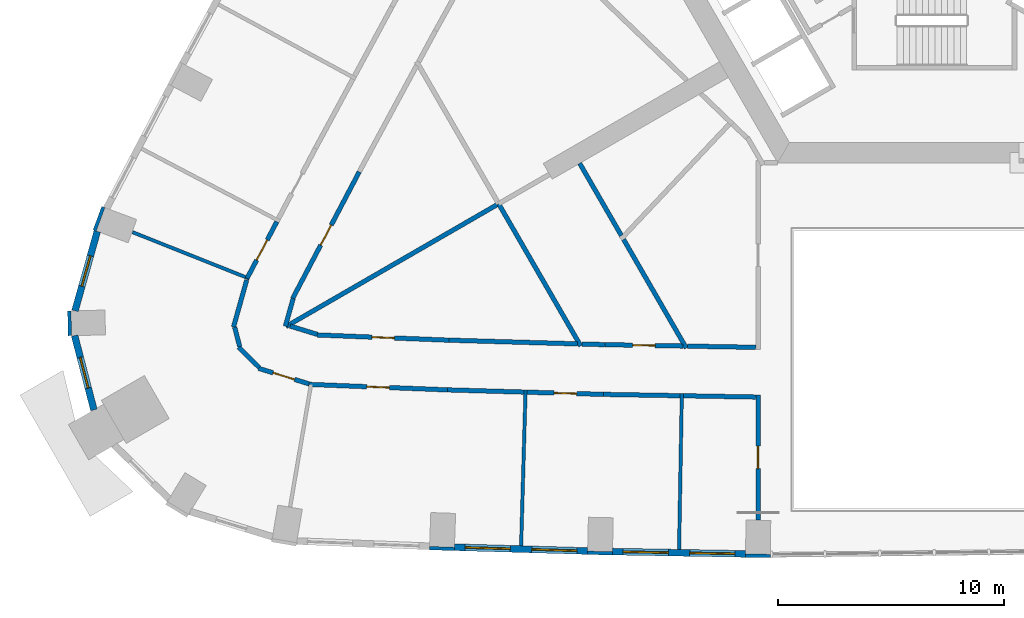
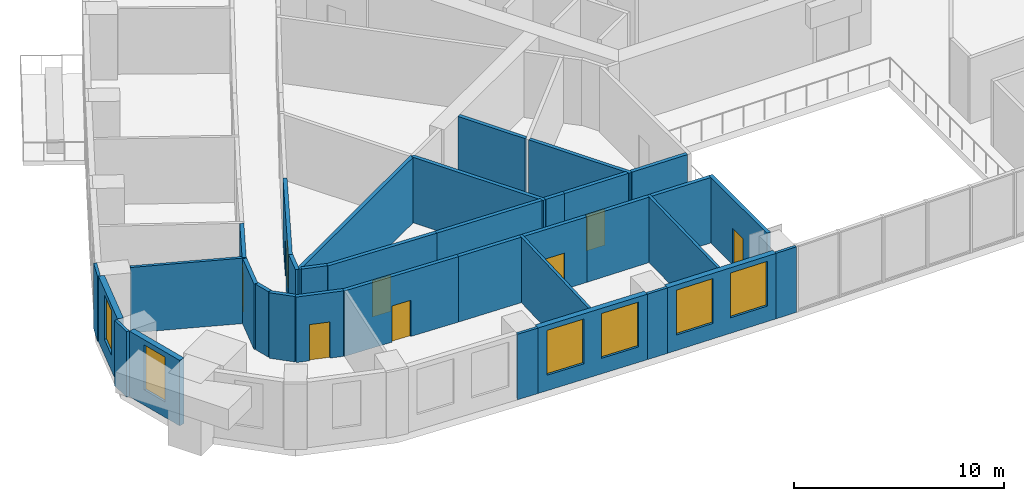
# One storey, part 4 of 15: 35 walls, 8 doors, 6 windows, 14 openings.
"""IFC4 building model written with IfcOpenShell, lengths in metres."""

from ifc_helpers import new_model, si_unit, direction, frame, frame_2d, origin, place, context, subcontext, project, spatial, rectangle, extrude, material, layer, layer_set, type_object, element, fill, save


model = new_model("IFC4")

# Units and contexts
model_context = context("Model", 3, precision=1e-05, world=origin(), true_north=direction((0.0, 1.0)))
body_context = subcontext(model_context, "Body", "Model", "MODEL_VIEW")
ifc_project = project(units=[si_unit("LENGTHUNIT", "METRE"), si_unit("AREAUNIT", "SQUARE_METRE"), si_unit("VOLUMEUNIT", "CUBIC_METRE"), si_unit("PLANEANGLEUNIT", "RADIAN"), si_unit("MASSUNIT", "GRAM", prefix="KILO")], contexts=[model_context])

# Site, building, storey
site_placement = place(None, origin())
site = spatial("IfcSite", under=ifc_project, at=site_placement, CompositionType="ELEMENT")
building_placement = place(site_placement, origin())
building = spatial("IfcBuilding", under=site, at=building_placement, Name="Entoto Arch Interchange Tower", CompositionType="ELEMENT")
storey_placement = place(building_placement, frame((0.0, 0.0, 107.60009765625)))
storey = spatial("IfcBuildingStorey", under=building, at=storey_placement, Name="L23", CompositionType="ELEMENT", Elevation=107.60009765625)

# Walls
ifc_material_1 = material(Name="Gypsum board partition on steel studs", Category="steel")
ifc_layer_1 = layer(ifc_material_1, 0.14990234375)
ifc_layer_set_1 = layer_set([ifc_layer_1], Name="Gypsum board partition on steel studs")
wall_type_1 = type_object("IfcWallType", Name="PARTITION 150", PredefinedType="PARTITIONING", material=ifc_layer_set_1)
wall_1_placement = place(storey_placement, frame((-30.305908203125, -14.625, 0.0), z_axis=(0.0, 0.0, 1.0), x_axis=(-0.929128339298, 0.369757392235, 0.0)))
element("IfcWall", 1, at=wall_1_placement, inside=storey, type_object=wall_type_1, Name="wall:L23:p152", PredefinedType="PARTITIONING", context=body_context, shape_type="SweptSolid", body=[
    extrude(rectangle(XDim=5.56884765625, YDim=0.14990234375, at=frame_2d((2.784423828125, 0.0))), origin(), (0.0, 0.0, 1.0), 3.7998046875),
])
wall_2_placement = place(storey_placement, frame((-18.0849609375, -19.544921875, 0.0), z_axis=(0.0, 0.0, 1.0), x_axis=(-0.02869106823, -0.999588326564, 0.0)))
element("IfcWall", 2, at=wall_2_placement, inside=storey, type_object=wall_type_1, Name="wall:L23:p154", PredefinedType="PARTITIONING", context=body_context, shape_type="SweptSolid", body=[
    extrude(rectangle(XDim=6.901123046875, YDim=0.14990234375, at=frame_2d((3.45068359375, 0.0))), origin(), (0.0, 0.0, 1.0), 3.7998046875),
])
wall_3_placement = place(storey_placement, frame((-11.1708984375, -19.7060546875, 0.0), z_axis=(0.0, 0.0, 1.0), x_axis=(-0.017691335128, -0.999843496084, 0.0)))
element("IfcWall", 3, at=wall_3_placement, inside=storey, type_object=wall_type_1, Name="wall:L23:p155", PredefinedType="PARTITIONING", context=body_context, shape_type="SweptSolid", body=[
    extrude(rectangle(XDim=6.89990234375, YDim=0.14990234375, at=frame_2d((3.449951171875, 0.0))), origin(), (0.0, 0.0, 1.0), 3.7998046875),
])
ifc_layer_2 = layer(ifc_material_1, 0.199951171875)
ifc_layer_set_2 = layer_set([ifc_layer_2], Name="Gypsum board partition on steel studs")
wall_type_2 = type_object("IfcWallType", Name="PARTITION 200", PredefinedType="PARTITIONING", material=ifc_layer_set_2)
wall_4_placement = place(storey_placement, frame((-10.923095703125, -17.610107421875, 0.0), z_axis=(0.0, 0.0, 1.0), x_axis=(0.999846489632, -0.017521334753, 0.0)))
element("IfcWall", 4, at=wall_4_placement, inside=storey, type_object=wall_type_2, Name="wall:L23:p032", PredefinedType="PARTITIONING", context=body_context, shape_type="SweptSolid", body=[
    extrude(rectangle(XDim=3.023681640625, YDim=0.199951171875, at=frame_2d((1.51171875, 0.0))), origin(), (0.0, 0.0, 1.0), 3.7998046875),
])
wall_5_placement = place(storey_placement, frame((-15.595947265625, -17.51611328125, 0.0), z_axis=(0.0, 0.0, 1.0), x_axis=(0.99959813819, -0.028347171427, 0.0)))
element("IfcWall", 5, at=wall_5_placement, inside=storey, type_object=wall_type_2, Name="wall:L23:p035", PredefinedType="PARTITIONING", context=body_context, shape_type="SweptSolid", body=[
    extrude(rectangle(XDim=1.016357421875, YDim=0.199951171875, at=frame_2d((0.50830078125, 0.0))), origin(), (0.0, 0.0, 1.0), 3.7998046875),
])

# Wall, opening, door
wall_6_placement = place(storey_placement, frame((-14.580078125, -17.544921875, 0.0), z_axis=(0.0, 0.0, 1.0), x_axis=(0.999844180431, -0.01765261618, 0.0)))
wall_6 = element("IfcWall", 6, at=wall_6_placement, inside=storey, type_object=wall_type_2, Name="wall:L23:p036", PredefinedType="PARTITIONING", context=body_context, shape_type="SweptSolid", body=[
    extrude(rectangle(XDim=3.45751953125, YDim=0.199951171875, at=frame_2d((1.728759765625, 0.0))), origin(), (0.0, 0.0, 1.0), 3.7998046875),
])
opening_1_placement = place(wall_6_placement, frame((1.22900390625, 0.0, 0.0)))
opening_1 = element("IfcOpeningElement", 7, at=opening_1_placement, cuts=wall_6, Name="Opening L23-D29", PredefinedType="OPENING", context=body_context, shape_type="SweptSolid", body=[
    extrude(rectangle(XDim=1.0, YDim=2.10009765625, at=frame_2d((0.5, 1.050048828125))), frame((0.0, 0.10986328125, 0.0), z_axis=(0.0, -1.0, 0.0), x_axis=(1.0, 0.0, 0.0)), (0.0, 0.0, 1.0), 0.219970703125),
])
ifc_material_2 = material(Name="Timber door leaf in Steel S235 frame", Category="steel")
door_type = type_object("IfcDoorType", Name="DOOR DS-10 1000x2100", OperationType="SINGLE_SWING_LEFT", PredefinedType="DOOR", material=ifc_material_2)
door_1_placement = place(opening_1_placement, origin())
door_1 = element("IfcDoor", 8, at=door_1_placement, inside=storey, type_object=door_type, Name="door:L23:29", OperationType="SINGLE_SWING_LEFT", OverallHeight=2.10009765625, OverallWidth=1.0, PredefinedType="DOOR", context=body_context, shape_type="SweptSolid", body=[
    extrude(rectangle(XDim=1.0, YDim=2.10009765625, at=frame_2d((0.5, 1.050048828125))), frame((0.0, 0.02490234375, 0.0), z_axis=(0.0, -1.0, 0.0), x_axis=(1.0, 0.0, 0.0)), (0.0, 0.0, 1.0), 0.050048828125),
])
fill(opening_1, door_1)

wall_7_placement = place(storey_placement, frame((-25.446044921875, -9.89599609375, 0.0), z_axis=(0.0, 0.0, 1.0), x_axis=(-0.465367816287, -0.885117390838, 0.0)))
wall_7 = element("IfcWall", 9, at=wall_7_placement, inside=storey, type_object=wall_type_2, Name="wall:L23:p038", PredefinedType="PARTITIONING", context=body_context, shape_type="SweptSolid", body=[
    extrude(rectangle(XDim=6.325927734375, YDim=0.199951171875, at=frame_2d((3.1630859375, 0.0))), origin(), (0.0, 0.0, 1.0), 3.7998046875),
])
opening_2_placement = place(wall_7_placement, frame((2.6630859375, 0.0, 0.0)))
opening_2 = element("IfcOpeningElement", 10, at=opening_2_placement, cuts=wall_7, Name="Opening L23-D30", PredefinedType="OPENING", context=body_context, shape_type="SweptSolid", body=[
    extrude(rectangle(XDim=1.0, YDim=2.10009765625, at=frame_2d((0.5, 1.050048828125))), frame((0.0, 0.10986328125, 0.0), z_axis=(0.0, -1.0, 0.0), x_axis=(1.0, 0.0, 0.0)), (0.0, 0.0, 1.0), 0.219970703125),
])
door_2_placement = place(opening_2_placement, origin())
door_2 = element("IfcDoor", 11, at=door_2_placement, inside=storey, type_object=door_type, Name="door:L23:30", OperationType="SINGLE_SWING_LEFT", OverallHeight=2.10009765625, OverallWidth=1.0, PredefinedType="DOOR", context=body_context, shape_type="SweptSolid", body=[
    extrude(rectangle(XDim=1.0, YDim=2.10009765625, at=frame_2d((0.5, 1.050048828125))), frame((0.0, 0.02490234375, 0.0), z_axis=(0.0, -1.0, 0.0), x_axis=(1.0, 0.0, 0.0)), (0.0, 0.0, 1.0), 0.050048828125),
])
fill(opening_2, door_2)

# Walls
wall_8_placement = place(storey_placement, frame((-28.3701171875, -15.5029296875, 0.0), z_axis=(0.0, 0.0, 1.0), x_axis=(-0.270645732093, -0.962679015924, 0.0)))
element("IfcWall", 12, at=wall_8_placement, inside=storey, type_object=wall_type_2, Name="wall:L23:p039", PredefinedType="PARTITIONING", context=body_context, shape_type="SweptSolid", body=[
    extrude(rectangle(XDim=1.274658203125, YDim=0.199951171875, at=frame_2d((0.63720703125, 0.0))), origin(), (0.0, 0.0, 1.0), 3.7998046875),
])
wall_9_placement = place(storey_placement, frame((-28.5029296875, -16.721923828125, 0.0), z_axis=(0.0, 0.0, 1.0), x_axis=(0.95579582576, -0.294031187904, 0.0)))
element("IfcWall", 13, at=wall_9_placement, inside=storey, type_object=wall_type_2, Name="wall:L23:p040", PredefinedType="PARTITIONING", context=body_context, shape_type="SweptSolid", body=[
    extrude(rectangle(XDim=1.25537109375, YDim=0.199951171875, at=frame_2d((0.627685546875, 0.0))), origin(), (0.0, 0.0, 1.0), 3.7998046875),
])

# Wall, opening, door
wall_10_placement = place(storey_placement, frame((-27.306884765625, -17.115966796875, 0.0), z_axis=(0.0, 0.0, 1.0), x_axis=(0.999217829656, -0.039544012168, 0.0)))
wall_10 = element("IfcWall", 14, at=wall_10_placement, inside=storey, type_object=wall_type_2, Name="wall:L23:p041", PredefinedType="PARTITIONING", context=body_context, shape_type="SweptSolid", body=[
    extrude(rectangle(XDim=5.840576171875, YDim=0.199951171875, at=frame_2d((2.92041015625, 0.0))), origin(), (0.0, 0.0, 1.0), 3.7998046875),
])
opening_3_placement = place(wall_10_placement, frame((2.419921875, 0.0, 0.0)))
opening_3 = element("IfcOpeningElement", 15, at=opening_3_placement, cuts=wall_10, Name="Opening L23-D31", PredefinedType="OPENING", context=body_context, shape_type="SweptSolid", body=[
    extrude(rectangle(XDim=1.0, YDim=2.10009765625, at=frame_2d((0.5, 1.050048828125))), frame((0.0, 0.10986328125, 0.0), z_axis=(0.0, -1.0, 0.0), x_axis=(1.0, 0.0, 0.0)), (0.0, 0.0, 1.0), 0.219970703125),
])
door_3_placement = place(opening_3_placement, origin())
door_3 = element("IfcDoor", 16, at=door_3_placement, inside=storey, type_object=door_type, Name="door:L23:31", OperationType="SINGLE_SWING_LEFT", OverallHeight=2.10009765625, OverallWidth=1.0, PredefinedType="DOOR", context=body_context, shape_type="SweptSolid", body=[
    extrude(rectangle(XDim=1.0, YDim=2.10009765625, at=frame_2d((0.5, 1.050048828125))), frame((0.0, 0.02490234375, 0.0), z_axis=(0.0, -1.0, 0.0), x_axis=(1.0, 0.0, 0.0)), (0.0, 0.0, 1.0), 0.050048828125),
])
fill(opening_3, door_3)

# Wall
wall_11_placement = place(storey_placement, frame((-21.470947265625, -17.346923828125, 0.0), z_axis=(0.0, 0.0, 1.0), x_axis=(0.999587337564, -0.028725504044, 0.0)))
element("IfcWall", 17, at=wall_11_placement, inside=storey, type_object=wall_type_2, Name="wall:L23:p042", PredefinedType="PARTITIONING", context=body_context, shape_type="SweptSolid", body=[
    extrude(rectangle(XDim=5.677490234375, YDim=0.199951171875, at=frame_2d((2.8388671875, 0.0))), origin(), (0.0, 0.0, 1.0), 3.7998046875),
])

# Wall, opening, door
wall_12_placement = place(storey_placement, frame((-30.409912109375, -14.610107421875, 0.0), z_axis=(0.0, 0.0, 1.0), x_axis=(0.46516343569, 0.885224817827, 0.0)))
wall_12 = element("IfcWall", 18, at=wall_12_placement, inside=storey, type_object=wall_type_2, Name="wall:L23:p074", PredefinedType="PARTITIONING", context=body_context, shape_type="SweptSolid", body=[
    extrude(rectangle(XDim=2.8310546875, YDim=0.199951171875, at=frame_2d((1.41552734375, 0.0))), origin(), (0.0, 0.0, 1.0), 3.7998046875),
])
opening_4_placement = place(wall_12_placement, frame((0.916015625, 0.0, 0.0)))
opening_4 = element("IfcOpeningElement", 19, at=opening_4_placement, cuts=wall_12, Name="Opening L23-D16", PredefinedType="OPENING", context=body_context, shape_type="SweptSolid", body=[
    extrude(rectangle(XDim=1.0, YDim=2.10009765625, at=frame_2d((0.5, 1.050048828125))), frame((0.0, 0.10986328125, 0.0), z_axis=(0.0, -1.0, 0.0), x_axis=(1.0, 0.0, 0.0)), (0.0, 0.0, 1.0), 0.219970703125),
])
door_4_placement = place(opening_4_placement, origin())
door_4 = element("IfcDoor", 20, at=door_4_placement, inside=storey, type_object=door_type, Name="door:L23:16", OperationType="SINGLE_SWING_LEFT", OverallHeight=2.10009765625, OverallWidth=1.0, PredefinedType="DOOR", context=body_context, shape_type="SweptSolid", body=[
    extrude(rectangle(XDim=1.0, YDim=2.10009765625, at=frame_2d((0.5, 1.050048828125))), frame((0.0, 0.02490234375, 0.0), z_axis=(0.0, -1.0, 0.0), x_axis=(1.0, 0.0, 0.0)), (0.0, 0.0, 1.0), 0.050048828125),
])
fill(opening_4, door_4)

wall_13_placement = place(storey_placement, frame((-27.676025390625, -19.278076171875, 0.0), z_axis=(0.0, 0.0, 1.0), x_axis=(-0.95581080774, 0.293982482143, 0.0)))
wall_13 = element("IfcWall", 21, at=wall_13_placement, inside=storey, type_object=wall_type_2, Name="wall:L23:p075", PredefinedType="PARTITIONING", context=body_context, shape_type="SweptSolid", body=[
    extrude(rectangle(XDim=2.32373046875, YDim=0.199951171875, at=frame_2d((1.161865234375, 0.0))), origin(), (0.0, 0.0, 1.0), 3.7998046875),
])
opening_5_placement = place(wall_13_placement, frame((0.662109375, 0.0, 0.0)))
opening_5 = element("IfcOpeningElement", 22, at=opening_5_placement, cuts=wall_13, Name="Opening L23-D17", PredefinedType="OPENING", context=body_context, shape_type="SweptSolid", body=[
    extrude(rectangle(XDim=1.0, YDim=2.10009765625, at=frame_2d((0.5, 1.050048828125))), frame((0.0, 0.10986328125, 0.0), z_axis=(0.0, -1.0, 0.0), x_axis=(1.0, 0.0, 0.0)), (0.0, 0.0, 1.0), 0.219970703125),
])
door_5_placement = place(opening_5_placement, origin())
door_5 = element("IfcDoor", 23, at=door_5_placement, inside=storey, type_object=door_type, Name="door:L23:17", OperationType="SINGLE_SWING_LEFT", OverallHeight=2.10009765625, OverallWidth=1.0, PredefinedType="DOOR", context=body_context, shape_type="SweptSolid", body=[
    extrude(rectangle(XDim=1.0, YDim=2.10009765625, at=frame_2d((0.5, 1.050048828125))), frame((0.0, 0.02490234375, 0.0), z_axis=(0.0, -1.0, 0.0), x_axis=(1.0, 0.0, 0.0)), (0.0, 0.0, 1.0), 0.050048828125),
])
fill(opening_5, door_5)

# Walls
wall_14_placement = place(storey_placement, frame((-29.873046875, -18.553955078125, 0.0), z_axis=(0.0, 0.0, 1.0), x_axis=(-0.712546188185, 0.701625206006, 0.0)))
element("IfcWall", 24, at=wall_14_placement, inside=storey, type_object=wall_type_2, Name="wall:L23:p076", PredefinedType="PARTITIONING", context=body_context, shape_type="SweptSolid", body=[
    extrude(rectangle(XDim=1.274169921875, YDim=0.199951171875, at=frame_2d((0.63720703125, 0.0))), origin(), (0.0, 0.0, 1.0), 3.7998046875),
])
wall_15_placement = place(storey_placement, frame((-30.735107421875, -17.634033203125, 0.0), z_axis=(0.0, 0.0, 1.0), x_axis=(-0.251095196118, 0.967962397248, 0.0)))
element("IfcWall", 25, at=wall_15_placement, inside=storey, type_object=wall_type_2, Name="wall:L23:p077", PredefinedType="PARTITIONING", context=body_context, shape_type="SweptSolid", body=[
    extrude(rectangle(XDim=0.8916015625, YDim=0.199951171875, at=frame_2d((0.44580078125, 0.0))), origin(), (0.0, 0.0, 1.0), 3.7998046875),
])
wall_16_placement = place(storey_placement, frame((-31.010986328125, -16.77001953125, 0.0), z_axis=(0.0, 0.0, 1.0), x_axis=(0.270131711391, 0.962823378664, 0.0)))
element("IfcWall", 26, at=wall_16_placement, inside=storey, type_object=wall_type_2, Name="wall:L23:p078", PredefinedType="PARTITIONING", context=body_context, shape_type="SweptSolid", body=[
    extrude(rectangle(XDim=2.16552734375, YDim=0.199951171875, at=frame_2d((1.082763671875, 0.0))), origin(), (0.0, 0.0, 1.0), 3.7998046875),
])
wall_17_placement = place(storey_placement, frame((-18.1630859375, -19.64306640625, 0.0), z_axis=(0.0, 0.0, 1.0), x_axis=(-0.999588017684, 0.028701827504, 0.0)))
element("IfcWall", 27, at=wall_17_placement, inside=storey, type_object=wall_type_2, Name="wall:L23:p079", PredefinedType="PARTITIONING", context=body_context, shape_type="SweptSolid", body=[
    extrude(rectangle(XDim=3.385498046875, YDim=0.199951171875, at=frame_2d((1.69287109375, 0.0))), origin(), (0.0, 0.0, 1.0), 3.7998046875),
])

# Wall, opening, door
wall_18_placement = place(storey_placement, frame((-21.547119140625, -19.5458984375, 0.0), z_axis=(0.0, 0.0, 1.0), x_axis=(-0.999216450883, 0.039578836331, 0.0)))
wall_18 = element("IfcWall", 28, at=wall_18_placement, inside=storey, type_object=wall_type_2, Name="wall:L23:p080", PredefinedType="PARTITIONING", context=body_context, shape_type="SweptSolid", body=[
    extrude(rectangle(XDim=6.1376953125, YDim=0.199951171875, at=frame_2d((3.06884765625, 0.0))), origin(), (0.0, 0.0, 1.0), 3.7998046875),
])
opening_6_placement = place(wall_18_placement, frame((2.569091796875, 0.0, 0.0)))
opening_6 = element("IfcOpeningElement", 29, at=opening_6_placement, cuts=wall_18, Name="Opening L23-D18", PredefinedType="OPENING", context=body_context, shape_type="SweptSolid", body=[
    extrude(rectangle(XDim=1.0, YDim=2.10009765625, at=frame_2d((0.5, 1.050048828125))), frame((0.0, 0.10986328125, 0.0), z_axis=(0.0, -1.0, 0.0), x_axis=(1.0, 0.0, 0.0)), (0.0, 0.0, 1.0), 0.219970703125),
])
door_6_placement = place(opening_6_placement, origin())
door_6 = element("IfcDoor", 30, at=door_6_placement, inside=storey, type_object=door_type, Name="door:L23:18", OperationType="SINGLE_SWING_LEFT", OverallHeight=2.10009765625, OverallWidth=1.0, PredefinedType="DOOR", context=body_context, shape_type="SweptSolid", body=[
    extrude(rectangle(XDim=1.0, YDim=2.10009765625, at=frame_2d((0.5, 1.050048828125))), frame((0.0, 0.02490234375, 0.0), z_axis=(0.0, -1.0, 0.0), x_axis=(1.0, 0.0, 0.0)), (0.0, 0.0, 1.0), 0.050048828125),
])
fill(opening_6, door_6)

# Wall
wall_19_placement = place(storey_placement, frame((-11.248046875, -19.803955078125, 0.0), z_axis=(0.0, 0.0, 1.0), x_axis=(-0.999848794654, 0.017389302123, 0.0)))
element("IfcWall", 31, at=wall_19_placement, inside=storey, type_object=wall_type_2, Name="wall:L23:p081", PredefinedType="PARTITIONING", context=body_context, shape_type="SweptSolid", body=[
    extrude(rectangle(XDim=3.383544921875, YDim=0.199951171875, at=frame_2d((1.69189453125, 0.0))), origin(), (0.0, 0.0, 1.0), 3.7998046875),
])

# Wall, opening, door
wall_20_placement = place(storey_placement, frame((-14.631103515625, -19.7451171875, 0.0), z_axis=(0.0, 0.0, 1.0), x_axis=(-0.999587482491, 0.028720460441, 0.0)))
wall_20 = element("IfcWall", 32, at=wall_20_placement, inside=storey, type_object=wall_type_2, Name="wall:L23:p082", PredefinedType="PARTITIONING", context=body_context, shape_type="SweptSolid", body=[
    extrude(rectangle(XDim=3.38330078125, YDim=0.199951171875, at=frame_2d((1.691650390625, 0.0))), origin(), (0.0, 0.0, 1.0), 3.7998046875),
])
opening_7_placement = place(wall_20_placement, frame((1.19189453125, 0.0, 0.0)))
opening_7 = element("IfcOpeningElement", 33, at=opening_7_placement, cuts=wall_20, Name="Opening L23-D19", PredefinedType="OPENING", context=body_context, shape_type="SweptSolid", body=[
    extrude(rectangle(XDim=1.0, YDim=2.10009765625, at=frame_2d((0.5, 1.050048828125))), frame((0.0, 0.10986328125, 0.0), z_axis=(0.0, -1.0, 0.0), x_axis=(1.0, 0.0, 0.0)), (0.0, 0.0, 1.0), 0.219970703125),
])
door_7_placement = place(opening_7_placement, origin())
door_7 = element("IfcDoor", 34, at=door_7_placement, inside=storey, type_object=door_type, Name="door:L23:19", OperationType="SINGLE_SWING_RIGHT", OverallHeight=2.10009765625, OverallWidth=1.0, PredefinedType="DOOR", context=body_context, shape_type="SweptSolid", body=[
    extrude(rectangle(XDim=1.0, YDim=2.10009765625, at=frame_2d((0.5, 1.050048828125))), frame((0.0, 0.02490234375, 0.0), z_axis=(0.0, -1.0, 0.0), x_axis=(1.0, 0.0, 0.0)), (0.0, 0.0, 1.0), 0.050048828125),
])
fill(opening_7, door_7)

# Wall
wall_21_placement = place(storey_placement, frame((-7.89990234375, -19.863037109375, 0.0), z_axis=(0.0, 0.0, 1.0), x_axis=(-0.999845883554, 0.017555886191, 0.0)))
element("IfcWall", 35, at=wall_21_placement, inside=storey, type_object=wall_type_2, Name="wall:L23:p083", PredefinedType="PARTITIONING", context=body_context, shape_type="SweptSolid", body=[
    extrude(rectangle(XDim=3.198486328125, YDim=0.199951171875, at=frame_2d((1.59912109375, 0.0))), origin(), (0.0, 0.0, 1.0), 3.7998046875),
])

# Wall, opening, door
wall_22_placement = place(storey_placement, frame((-7.800048828125, -25.2958984375, 0.0), z_axis=(0.0, 0.0, 1.0), x_axis=(0.0, 1.0, 0.0)))
wall_22 = element("IfcWall", 36, at=wall_22_placement, inside=storey, type_object=wall_type_2, Name="wall:L23:p119", PredefinedType="PARTITIONING", context=body_context, shape_type="SweptSolid", body=[
    extrude(rectangle(XDim=5.531005859375, YDim=0.199951171875, at=frame_2d((2.765625, 0.0))), origin(), (0.0, 0.0, 1.0), 3.7998046875),
])
opening_8_placement = place(wall_22_placement, frame((2.264892578125, 0.0, 0.0)))
opening_8 = element("IfcOpeningElement", 37, at=opening_8_placement, cuts=wall_22, Name="Opening L23-D20", PredefinedType="OPENING", context=body_context, shape_type="SweptSolid", body=[
    extrude(rectangle(XDim=1.0, YDim=2.10009765625, at=frame_2d((0.5, 1.050048828125))), frame((0.0, 0.10986328125, 0.0), z_axis=(0.0, -1.0, 0.0), x_axis=(1.0, 0.0, 0.0)), (0.0, 0.0, 1.0), 0.219970703125),
])
door_8_placement = place(opening_8_placement, origin())
door_8 = element("IfcDoor", 38, at=door_8_placement, inside=storey, type_object=door_type, Name="door:L23:20", OperationType="SINGLE_SWING_LEFT", OverallHeight=2.10009765625, OverallWidth=1.0, PredefinedType="DOOR", context=body_context, shape_type="SweptSolid", body=[
    extrude(rectangle(XDim=1.0, YDim=2.10009765625, at=frame_2d((0.5, 1.050048828125))), frame((0.0, 0.02490234375, 0.0), z_axis=(0.0, -1.0, 0.0), x_axis=(1.0, 0.0, 0.0)), (0.0, 0.0, 1.0), 0.050048828125),
])
fill(opening_8, door_8)

# Walls
wall_23_placement = place(storey_placement, frame((-10.972900390625, -17.695068359375, 0.0), z_axis=(0.0, 0.0, 1.0), x_axis=(-0.499986535608, 0.866033177315, 0.0)))
element("IfcWall", 39, at=wall_23_placement, inside=storey, type_object=wall_type_2, Name="wall:L23:p131", PredefinedType="PARTITIONING", context=body_context, shape_type="SweptSolid", body=[
    extrude(rectangle(XDim=5.548583984375, YDim=0.199951171875, at=frame_2d((2.7744140625, 0.0))), origin(), (0.0, 0.0, 1.0), 3.7998046875),
])
wall_24_placement = place(storey_placement, frame((-13.846923828125, -12.716064453125, 0.0), z_axis=(0.0, 0.0, 1.0), x_axis=(-0.499861859587, 0.866105144501, 0.0)))
element("IfcWall", 40, at=wall_24_placement, inside=storey, type_object=wall_type_2, Name="wall:L23:p132", PredefinedType="PARTITIONING", context=body_context, shape_type="SweptSolid", body=[
    extrude(rectangle(XDim=3.68896484375, YDim=0.199951171875, at=frame_2d((1.844482421875, 0.0))), origin(), (0.0, 0.0, 1.0), 3.7998046875),
])
wall_25_placement = place(storey_placement, frame((-15.64599609375, -17.60009765625, 0.0), z_axis=(0.0, 0.0, 1.0), x_axis=(-0.499953299825, 0.866052364464, 0.0)))
element("IfcWall", 41, at=wall_25_placement, inside=storey, type_object=wall_type_2, Name="wall:L23:p135", PredefinedType="PARTITIONING", context=body_context, shape_type="SweptSolid", body=[
    extrude(rectangle(XDim=7.262939453125, YDim=0.199951171875, at=frame_2d((3.63134765625, 0.0))), origin(), (0.0, 0.0, 1.0), 3.7998046875),
])
wall_26_placement = place(storey_placement, frame((-19.277099609375, -11.31103515625, 0.0), z_axis=(0.0, 0.0, 1.0), x_axis=(-0.866078939042, -0.499907262747, 0.0)))
element("IfcWall", 42, at=wall_26_placement, inside=storey, type_object=wall_type_2, Name="wall:L23:p136", PredefinedType="PARTITIONING", context=body_context, shape_type="SweptSolid", body=[
    extrude(rectangle(XDim=10.86376953125, YDim=0.199951171875, at=frame_2d((5.431884765625, 0.0))), origin(), (0.0, 0.0, 1.0), 3.7998046875),
])

# Wall, openings, windows
ifc_material_3 = material(Name="Welded tuff (ignimbrite) cladding, warm buff", Category="masonry")
ifc_layer_3 = layer(ifc_material_3, 0.300048828125)
ifc_layer_set_3 = layer_set([ifc_layer_3], Name="Welded tuff (ignimbrite) cladding, warm buff")
wall_type_3 = type_object("IfcWallType", Name="STONE INFILL WALL 300", PredefinedType="STANDARD", material=ifc_layer_set_3)
wall_27_placement = place(storey_placement, frame((-21.235107421875, -26.508056640625, 0.0), z_axis=(0.0, 0.0, 1.0), x_axis=(0.999589583914, -0.028647229026, 0.0)))
wall_27 = element("IfcWall", 43, at=wall_27_placement, inside=storey, type_object=wall_type_3, Name="Facade wall S-02 L23", PredefinedType="STANDARD", context=body_context, shape_type="SweptSolid", body=[
    extrude(rectangle(XDim=5.8974609375, YDim=0.300048828125, at=frame_2d((2.94873046875, 0.0))), origin(), (0.0, 0.0, 1.0), 3.7998046875),
])
opening_9_placement = place(wall_27_placement, frame((0.47412109375, 0.0, 0.89990234375)))
opening_9 = element("IfcOpeningElement", 44, at=opening_9_placement, cuts=wall_27, Name="Opening WO-C", PredefinedType="OPENING", context=body_context, shape_type="SweptSolid", body=[
    extrude(rectangle(XDim=2.0, YDim=2.60009765625, at=frame_2d((1.0, 1.300048828125))), frame((0.0, 0.16015625, 0.0), z_axis=(0.0, -1.0, 0.0), x_axis=(1.0, 0.0, 0.0)), (0.0, 0.0, 1.0), 0.320068359375),
])
opening_10_placement = place(wall_27_placement, frame((3.423095703125, 0.0, 0.89990234375)))
opening_10 = element("IfcOpeningElement", 45, at=opening_10_placement, cuts=wall_27, Name="Opening WO-C", PredefinedType="OPENING", context=body_context, shape_type="SweptSolid", body=[
    extrude(rectangle(XDim=2.0, YDim=2.60009765625, at=frame_2d((1.0, 1.300048828125))), frame((0.0, 0.16015625, 0.0), z_axis=(0.0, -1.0, 0.0), x_axis=(1.0, 0.0, 0.0)), (0.0, 0.0, 1.0), 0.320068359375),
])
ifc_material_4 = material(Name="Clear glass, low-e double glazed", Category="glass")
window_type_1 = type_object("IfcWindowType", Name="WINDOW WO-C 2000x2600", PartitioningType="DOUBLE_PANEL_VERTICAL", PredefinedType="WINDOW", material=ifc_material_4)
window_1_placement = place(opening_9_placement, origin())
window_1 = element("IfcWindow", 46, at=window_1_placement, inside=storey, type_object=window_type_1, Name="Window WO-C S-02 L23", OverallHeight=2.60009765625, OverallWidth=2.0, PartitioningType="SINGLE_PANEL", PredefinedType="WINDOW", context=body_context, shape_type="SweptSolid", body=[
    extrude(rectangle(XDim=2.0, YDim=2.60009765625, at=frame_2d((1.0, 1.300048828125))), frame((0.0, 0.030029296875, 0.0), z_axis=(0.0, -1.0, 0.0), x_axis=(1.0, 0.0, 0.0)), (0.0, 0.0, 1.0), 0.06005859375),
])
fill(opening_9, window_1)
window_2_placement = place(opening_10_placement, origin())
window_2 = element("IfcWindow", 47, at=window_2_placement, inside=storey, type_object=window_type_1, Name="Window WO-C S-02 L23", OverallHeight=2.60009765625, OverallWidth=2.0, PartitioningType="SINGLE_PANEL", PredefinedType="WINDOW", context=body_context, shape_type="SweptSolid", body=[
    extrude(rectangle(XDim=2.0, YDim=2.60009765625, at=frame_2d((1.0, 1.300048828125))), frame((0.0, 0.030029296875, 0.0), z_axis=(0.0, -1.0, 0.0), x_axis=(1.0, 0.0, 0.0)), (0.0, 0.0, 1.0), 0.06005859375),
])
fill(opening_10, window_2)

wall_28_placement = place(storey_placement, frame((-14.241943359375, -26.702880859375, 0.0), z_axis=(0.0, 0.0, 1.0), x_axis=(0.999847261365, -0.017477240672, 0.0)))
wall_28 = element("IfcWall", 48, at=wall_28_placement, inside=storey, type_object=wall_type_3, Name="Facade wall S-03 L23", PredefinedType="STANDARD", context=body_context, shape_type="SweptSolid", body=[
    extrude(rectangle(XDim=5.89501953125, YDim=0.300048828125, at=frame_2d((2.947509765625, 0.0))), origin(), (0.0, 0.0, 1.0), 3.7998046875),
])
opening_11_placement = place(wall_28_placement, frame((0.47412109375, 0.0, 0.89990234375)))
opening_11 = element("IfcOpeningElement", 49, at=opening_11_placement, cuts=wall_28, Name="Opening WO-C", PredefinedType="OPENING", context=body_context, shape_type="SweptSolid", body=[
    extrude(rectangle(XDim=2.0, YDim=2.60009765625, at=frame_2d((1.0, 1.300048828125))), frame((0.0, 0.16015625, 0.0), z_axis=(0.0, -1.0, 0.0), x_axis=(1.0, 0.0, 0.0)), (0.0, 0.0, 1.0), 0.320068359375),
])
opening_12_placement = place(wall_28_placement, frame((3.4208984375, 0.0, 0.89990234375)))
opening_12 = element("IfcOpeningElement", 50, at=opening_12_placement, cuts=wall_28, Name="Opening WO-C", PredefinedType="OPENING", context=body_context, shape_type="SweptSolid", body=[
    extrude(rectangle(XDim=2.0, YDim=2.60009765625, at=frame_2d((1.0, 1.300048828125))), frame((0.0, 0.16015625, 0.0), z_axis=(0.0, -1.0, 0.0), x_axis=(1.0, 0.0, 0.0)), (0.0, 0.0, 1.0), 0.320068359375),
])
window_3_placement = place(opening_11_placement, origin())
window_3 = element("IfcWindow", 51, at=window_3_placement, inside=storey, type_object=window_type_1, Name="Window WO-C S-03 L23", OverallHeight=2.60009765625, OverallWidth=2.0, PartitioningType="SINGLE_PANEL", PredefinedType="WINDOW", context=body_context, shape_type="SweptSolid", body=[
    extrude(rectangle(XDim=2.0, YDim=2.60009765625, at=frame_2d((1.0, 1.300048828125))), frame((0.0, 0.030029296875, 0.0), z_axis=(0.0, -1.0, 0.0), x_axis=(1.0, 0.0, 0.0)), (0.0, 0.0, 1.0), 0.06005859375),
])
fill(opening_11, window_3)
window_4_placement = place(opening_12_placement, origin())
window_4 = element("IfcWindow", 52, at=window_4_placement, inside=storey, type_object=window_type_1, Name="Window WO-C S-03 L23", OverallHeight=2.60009765625, OverallWidth=2.0, PartitioningType="SINGLE_PANEL", PredefinedType="WINDOW", context=body_context, shape_type="SweptSolid", body=[
    extrude(rectangle(XDim=2.0, YDim=2.60009765625, at=frame_2d((1.0, 1.300048828125))), frame((0.0, 0.030029296875, 0.0), z_axis=(0.0, -1.0, 0.0), x_axis=(1.0, 0.0, 0.0)), (0.0, 0.0, 1.0), 0.06005859375),
])
fill(opening_12, window_4)

# Wall, opening, window
wall_29_placement = place(storey_placement, frame((-37.0400390625, -12.531005859375, 0.0), z_axis=(0.0, 0.0, 1.0), x_axis=(-0.270054089595, -0.96284515302, 0.0)))
wall_29 = element("IfcWall", 53, at=wall_29_placement, inside=storey, type_object=wall_type_3, Name="Facade wall SW-01 L23", PredefinedType="STANDARD", context=body_context, shape_type="SweptSolid", body=[
    extrude(rectangle(XDim=3.650634765625, YDim=0.300048828125, at=frame_2d((1.8251953125, 0.0))), origin(), (0.0, 0.0, 1.0), 3.7998046875),
])
opening_13_placement = place(wall_29_placement, frame((1.125, 0.0, 0.89990234375)))
opening_13 = element("IfcOpeningElement", 54, at=opening_13_placement, cuts=wall_29, Name="Opening WO-B", PredefinedType="OPENING", context=body_context, shape_type="SweptSolid", body=[
    extrude(rectangle(XDim=1.39990234375, YDim=2.60009765625, at=frame_2d((0.699951171875, 1.300048828125))), frame((0.0, 0.16015625, 0.0), z_axis=(0.0, -1.0, 0.0), x_axis=(1.0, 0.0, 0.0)), (0.0, 0.0, 1.0), 0.320068359375),
])
window_type_2 = type_object("IfcWindowType", Name="WINDOW WO-B 1400x2600", PartitioningType="DOUBLE_PANEL_VERTICAL", PredefinedType="WINDOW", material=ifc_material_4)
window_5_placement = place(opening_13_placement, origin())
window_5 = element("IfcWindow", 55, at=window_5_placement, inside=storey, type_object=window_type_2, Name="Window WO-B SW-01 L23", OverallHeight=2.60009765625, OverallWidth=1.39990234375, PartitioningType="SINGLE_PANEL", PredefinedType="WINDOW", context=body_context, shape_type="SweptSolid", body=[
    extrude(rectangle(XDim=1.39990234375, YDim=2.60009765625, at=frame_2d((0.699951171875, 1.300048828125))), frame((0.0, 0.030029296875, 0.0), z_axis=(0.0, -1.0, 0.0), x_axis=(1.0, 0.0, 0.0)), (0.0, 0.0, 1.0), 0.06005859375),
])
fill(opening_13, window_5)

wall_30_placement = place(storey_placement, frame((-38.0419921875, -17.14404296875, 0.0), z_axis=(0.0, 0.0, 1.0), x_axis=(0.251046938153, -0.967974914367, 0.0)))
wall_30 = element("IfcWall", 56, at=wall_30_placement, inside=storey, type_object=wall_type_3, Name="Facade wall SW-02 L23", PredefinedType="STANDARD", context=body_context, shape_type="SweptSolid", body=[
    extrude(rectangle(XDim=3.39794921875, YDim=0.300048828125, at=frame_2d((1.698974609375, 0.0))), origin(), (0.0, 0.0, 1.0), 3.7998046875),
])
opening_14_placement = place(wall_30_placement, frame((0.9990234375, 0.0, 0.89990234375)))
opening_14 = element("IfcOpeningElement", 57, at=opening_14_placement, cuts=wall_30, Name="Opening WO-B", PredefinedType="OPENING", context=body_context, shape_type="SweptSolid", body=[
    extrude(rectangle(XDim=1.39990234375, YDim=2.60009765625, at=frame_2d((0.699951171875, 1.300048828125))), frame((0.0, 0.16015625, 0.0), z_axis=(0.0, -1.0, 0.0), x_axis=(1.0, 0.0, 0.0)), (0.0, 0.0, 1.0), 0.320068359375),
])
window_6_placement = place(opening_14_placement, origin())
window_6 = element("IfcWindow", 58, at=window_6_placement, inside=storey, type_object=window_type_2, Name="Window WO-B SW-02 L23", OverallHeight=2.60009765625, OverallWidth=1.39990234375, PartitioningType="SINGLE_PANEL", PredefinedType="WINDOW", context=body_context, shape_type="SweptSolid", body=[
    extrude(rectangle(XDim=1.39990234375, YDim=2.60009765625, at=frame_2d((0.699951171875, 1.300048828125))), frame((0.0, 0.030029296875, 0.0), z_axis=(0.0, -1.0, 0.0), x_axis=(1.0, 0.0, 0.0)), (0.0, 0.0, 1.0), 0.06005859375),
])
fill(opening_14, window_6)

# Walls
ifc_layer_4 = layer(ifc_material_3, 0.14990234375)
ifc_layer_set_4 = layer_set([ifc_layer_4], Name="Welded tuff (ignimbrite) cladding, warm buff")
wall_type_4 = type_object("IfcWallType", Name="STONE PIER CLADDING 150", PredefinedType="STANDARD", material=ifc_layer_set_4)
wall_31_placement = place(storey_placement, frame((-36.77099609375, -11.4580078125, 0.0), z_axis=(0.0, 0.0, 1.0), x_axis=(-0.347205967468, -0.937788897436, 0.0)))
element("IfcWall", 59, at=wall_31_placement, inside=storey, type_object=wall_type_4, Name="Stone pier NW09 L23", PredefinedType="STANDARD", context=body_context, shape_type="SweptSolid", body=[
    extrude(rectangle(XDim=1.100341796875, YDim=0.14990234375, at=frame_2d((0.55029296875, 0.0))), origin(), (0.0, 0.0, 1.0), 3.7998046875),
])
wall_32_placement = place(storey_placement, frame((-22.3359375, -26.548095703125, 0.0), z_axis=(0.0, 0.0, 1.0), x_axis=(0.999376638472, -0.035303462679, 0.0)))
element("IfcWall", 60, at=wall_32_placement, inside=storey, type_object=wall_type_4, Name="Stone pier S02 L23", PredefinedType="STANDARD", context=body_context, shape_type="SweptSolid", body=[
    extrude(rectangle(XDim=1.099609375, YDim=0.14990234375, at=frame_2d((0.5498046875, 0.0))), origin(), (0.0, 0.0, 1.0), 3.7998046875),
])
wall_33_placement = place(storey_placement, frame((-15.343017578125, -26.7548828125, 0.0), z_axis=(0.0, 0.0, 1.0), x_axis=(0.999718180159, -0.023739424163, 0.0)))
element("IfcWall", 61, at=wall_33_placement, inside=storey, type_object=wall_type_4, Name="Stone pier S03 L23", PredefinedType="STANDARD", context=body_context, shape_type="SweptSolid", body=[
    extrude(rectangle(XDim=1.100341796875, YDim=0.14990234375, at=frame_2d((0.55029296875, 0.0))), origin(), (0.0, 0.0, 1.0), 3.7998046875),
])
for number, where, z_axis, x_axis, name in (
    (62, (-8.34912109375, -26.885986328125, 0.0), (0.0, 0.0, 1.0), (0.99995860686, -0.009098602504, 0.0), "Stone pier S04 L23"),
    (63, (-38.27587890625, -16.050048828125, 0.0), (0.0, 0.0, 1.0), (0.023522901136, -0.999723298279, 0.0), "Stone pier SW1 L23"),
):
    element("IfcWall", number, at=place(storey_placement, frame(where, z_axis=z_axis, x_axis=x_axis)), inside=storey, type_object=wall_type_4, Name=name, PredefinedType="STANDARD", context=body_context, shape_type="SweptSolid", body=[
        extrude(rectangle(XDim=1.10009765625, YDim=0.14990234375, at=frame_2d((0.550048828125, 0.0))), origin(), (0.0, 0.0, 1.0), 3.7998046875),
    ])

save(model, "model.ifc")
